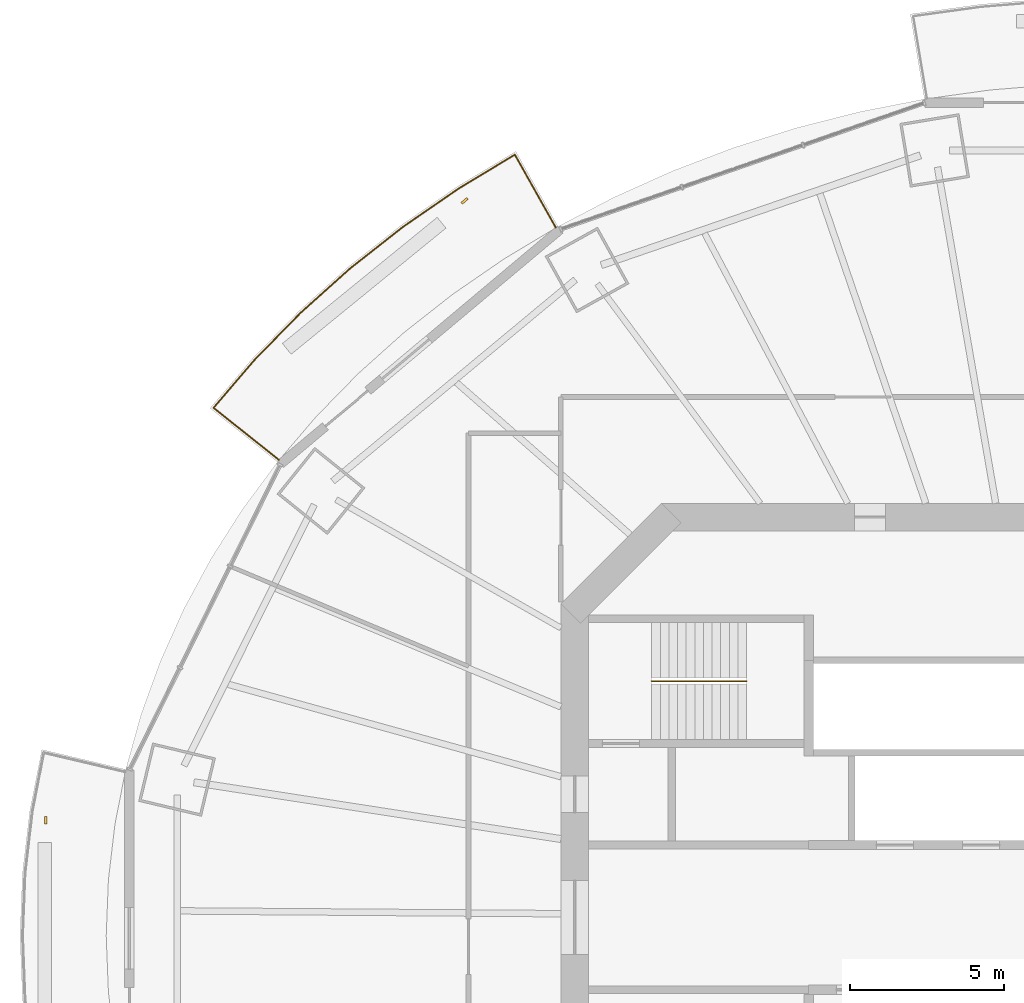
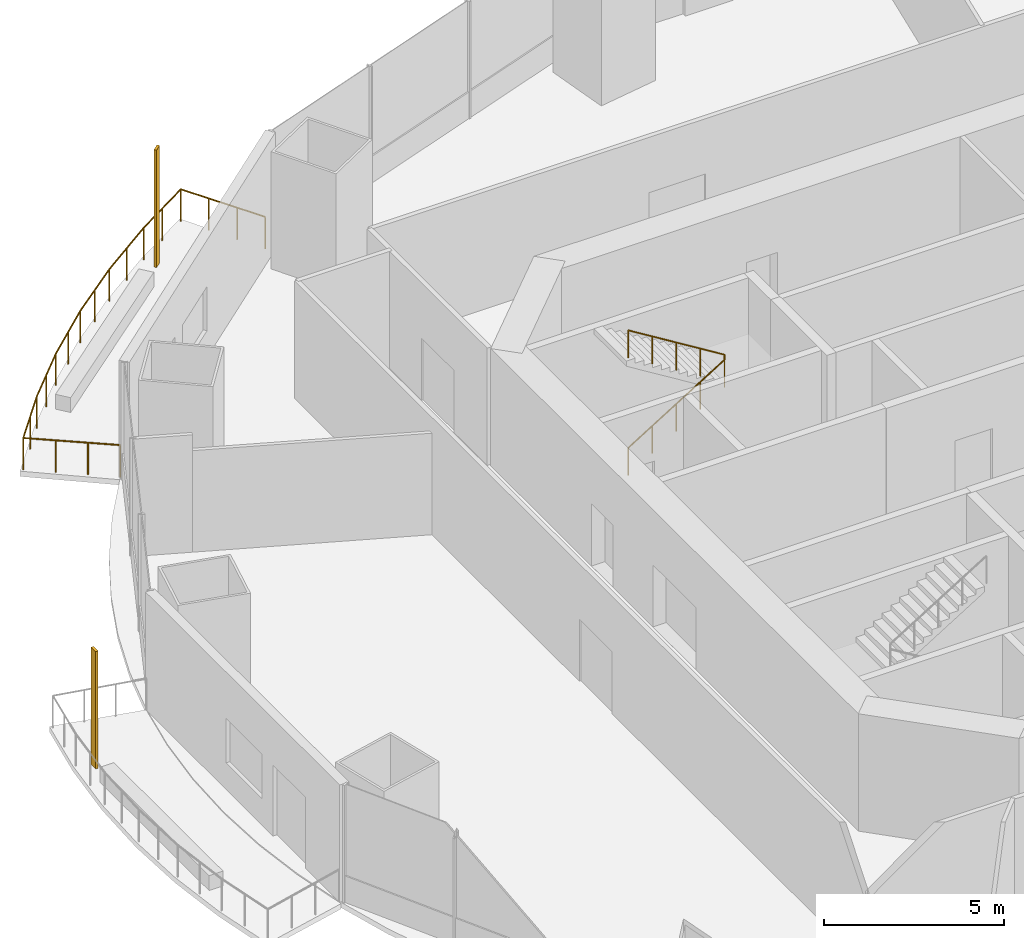
# One storey, part 18 of 21: 2 railings, 2 shading devices.
"""IFC4 building model written with IfcOpenShell, lengths in metres."""

from ifc_helpers import new_model, si_unit, direction, frame, origin, origin_2d, place, context, subcontext, project, spatial, rectangle, circle, extrude, material, material_profile, profile_set, type_object, element, save


model = new_model("IFC4")

# Units and contexts
model_context = context("Model", 3, precision=1e-05, world=origin(), true_north=direction((0.0, 1.0)))
body_context = subcontext(model_context, "Body", "Model", "MODEL_VIEW")
ifc_project = project(units=[si_unit("LENGTHUNIT", "METRE"), si_unit("AREAUNIT", "SQUARE_METRE"), si_unit("VOLUMEUNIT", "CUBIC_METRE"), si_unit("PLANEANGLEUNIT", "RADIAN"), si_unit("MASSUNIT", "GRAM", prefix="KILO")], contexts=[model_context])

# Site, building, storey
site_placement = place(None, origin())
site = spatial("IfcSite", under=ifc_project, at=site_placement, CompositionType="ELEMENT")
building_placement = place(site_placement, origin())
building = spatial("IfcBuilding", under=site, at=building_placement, Name="Marenthal Gate Tower", CompositionType="ELEMENT")
storey_placement = place(building_placement, frame((0.0, 0.0, 161.050048828125)))
storey = spatial("IfcBuildingStorey", under=building, at=storey_placement, Name="L34", CompositionType="ELEMENT", Elevation=161.050048828125)

# Railings
ifc_material_1 = material(Name="Stainless steel", Category="steel")
railing_type_1 = type_object("IfcRailingType", Name="Balcony guard 1100", PredefinedType="GUARDRAIL", material=ifc_material_1)
railing_1_placement = place(storey_placement, frame((-25.6044921875, 14.858642578125, 0.0)))
element("IfcRailing", 1, at=railing_1_placement, inside=storey, type_object=railing_type_1, Name="Balcony guard L34 bay 6", PredefinedType="GUARDRAIL", context=body_context, shape_type="SweptSolid", body=[
    extrude(circle(Radius=0.02392578125, at=origin_2d()), frame((0.0, 0.0, 1.076171875), z_axis=(-0.782541115897, 0.622424892619, -0.014719204382), x_axis=(-0.622492329303, -0.782625900388, 0.0)), (0.0, 0.0, 1.0), 2.72021484375),
    extrude(circle(Radius=0.02392578125, at=origin_2d()), frame((-2.128662109375, 1.693115234375, 1.0361328125), z_axis=(0.650279703498, 0.759694877709, 0.0), x_axis=(-0.759694877709, 0.650279703498, 0.0)), (0.0, 0.0, 1.0), 2.0439453125),
    extrude(circle(Radius=0.02392578125, at=origin_2d()), frame((-0.799560546875, 3.245849609375, 1.0361328125), z_axis=(0.699140939345, 0.714983878792, 0.0), x_axis=(-0.714983878792, 0.699140939345, 0.0)), (0.0, 0.0, 1.0), 2.14208984375),
    extrude(circle(Radius=0.02392578125, at=origin_2d()), frame((0.697998046875, 4.77734375, 1.0361328125), z_axis=(0.744641092112, 0.66746508818, 0.0), x_axis=(-0.66746508818, 0.744641092112, 0.0)), (0.0, 0.0, 1.0), 2.16064453125),
    extrude(circle(Radius=0.02392578125, at=origin_2d()), frame((2.306884765625, 6.219482421875, 1.0361328125), z_axis=(0.786162827468, 0.618019424215, 0.0), x_axis=(-0.618019424215, 0.786162827468, 0.0)), (0.0, 0.0, 1.0), 2.179443359375),
    extrude(circle(Radius=0.02392578125, at=origin_2d()), frame((4.020263671875, 7.56640625, 1.0361328125), z_axis=(0.823545660097, 0.567249985223, 0.0), x_axis=(-0.567249985223, 0.823545660097, 0.0)), (0.0, 0.0, 1.0), 2.197509765625),
    extrude(circle(Radius=0.02392578125, at=origin_2d()), frame((5.830078125, 8.81298828125, 1.0361328125), z_axis=(0.856361121068, 0.516377410741, 0.0), x_axis=(-0.516377410741, 0.856361121068, 0.0)), (0.0, 0.0, 1.0), 2.135498046875),
    extrude(circle(Radius=0.02392578125, at=origin_2d()), frame((7.658935546875, 9.915771484375, 1.0361328125), z_axis=(0.489411085686, -0.871928974406, 0.014719130397), x_axis=(0.872023442683, 0.489464110443, 0.0)), (0.0, 0.0, 1.0), 2.72021484375),
    extrude(circle(Radius=0.02099609375, at=origin_2d()), origin(), (0.0, 0.0, 1.0), 1.052001953125),
    extrude(circle(Radius=0.02099609375, at=origin_2d()), frame((-0.70947265625, 0.564453125, -0.013427734375)), (0.0, 0.0, 1.0), 1.052001953125),
    extrude(circle(Radius=0.02099609375, at=origin_2d()), frame((-1.419189453125, 1.128662109375, -0.026611328125)), (0.0, 0.0, 1.0), 1.052001953125),
    extrude(circle(Radius=0.02099609375, at=origin_2d()), frame((-2.128662109375, 1.693115234375, -0.0400390625)), (0.0, 0.0, 1.0), 1.052001953125),
    extrude(circle(Radius=0.02099609375, at=origin_2d()), frame((-1.464111328125, 2.469482421875, -0.0400390625)), (0.0, 0.0, 1.0), 1.052001953125),
    extrude(circle(Radius=0.02099609375, at=origin_2d()), frame((-0.799560546875, 3.245849609375, -0.0400390625)), (0.0, 0.0, 1.0), 1.052001953125),
    extrude(circle(Radius=0.02099609375, at=origin_2d()), frame((-0.05078125, 4.01171875, -0.0400390625)), (0.0, 0.0, 1.0), 1.052001953125),
    extrude(circle(Radius=0.02099609375, at=origin_2d()), frame((0.697998046875, 4.77734375, -0.0400390625)), (0.0, 0.0, 1.0), 1.052001953125),
    extrude(circle(Radius=0.02099609375, at=origin_2d()), frame((1.50244140625, 5.49853515625, -0.0400390625)), (0.0, 0.0, 1.0), 1.052001953125),
    extrude(circle(Radius=0.02099609375, at=origin_2d()), frame((2.306884765625, 6.219482421875, -0.0400390625)), (0.0, 0.0, 1.0), 1.052001953125),
    extrude(circle(Radius=0.02099609375, at=origin_2d()), frame((3.16357421875, 6.89306640625, -0.0400390625)), (0.0, 0.0, 1.0), 1.052001953125),
    extrude(circle(Radius=0.02099609375, at=origin_2d()), frame((4.020263671875, 7.56640625, -0.0400390625)), (0.0, 0.0, 1.0), 1.052001953125),
    extrude(circle(Radius=0.02099609375, at=origin_2d()), frame((4.92529296875, 8.189697265625, -0.0400390625)), (0.0, 0.0, 1.0), 1.052001953125),
    extrude(circle(Radius=0.02099609375, at=origin_2d()), frame((5.830078125, 8.81298828125, -0.0400390625)), (0.0, 0.0, 1.0), 1.052001953125),
    extrude(circle(Radius=0.02099609375, at=origin_2d()), frame((6.74462890625, 9.3642578125, -0.0400390625)), (0.0, 0.0, 1.0), 1.052001953125),
    extrude(circle(Radius=0.02099609375, at=origin_2d()), frame((7.658935546875, 9.915771484375, -0.0400390625)), (0.0, 0.0, 1.0), 1.052001953125),
    extrude(circle(Radius=0.02099609375, at=origin_2d()), frame((8.102783203125, 9.125244140625, -0.026611328125)), (0.0, 0.0, 1.0), 1.052001953125),
    extrude(circle(Radius=0.02099609375, at=origin_2d()), frame((8.54638671875, 8.33447265625, -0.013427734375)), (0.0, 0.0, 1.0), 1.052001953125),
    extrude(circle(Radius=0.02099609375, at=origin_2d()), frame((8.990234375, 7.5439453125, 0.0)), (0.0, 0.0, 1.0), 1.052001953125),
])
ifc_material_2 = material(Name="Stainless steel", Category="steel")
railing_type_2 = type_object("IfcRailingType", Name="Stair handrail", PredefinedType="HANDRAIL", material=ifc_material_2)
railing_2_placement = place(storey_placement, frame((-13.5, 7.675048828125, 0.1728515625)))
element("IfcRailing", 2, at=railing_2_placement, inside=storey, type_object=railing_type_2, Name="Handrail ST1", PredefinedType="HANDRAIL", context=body_context, shape_type="SweptSolid", body=[
    extrude(circle(Radius=0.0224609375, at=origin_2d()), frame((0.0, 0.0, 0.927490234375), z_axis=(0.850835241893, 0.0, 0.525432575268), x_axis=(0.0, 1.0, 0.0)), (0.0, 0.0, 1.0), 3.6201171875),
    extrude(circle(Radius=0.0224609375, at=origin_2d()), frame((3.080078125, 0.0, 2.82958984375), z_axis=(0.0, 0.0, 1.0), x_axis=(1.0, 0.0, 0.0)), (0.0, 0.0, 1.0), 0.1728515625),
    extrude(circle(Radius=0.0224609375, at=origin_2d()), frame((3.080078125, 0.0, 3.00244140625), z_axis=(-0.850835241893, 0.0, 0.525432575268), x_axis=(0.0, -1.0, 0.0)), (0.0, 0.0, 1.0), 3.6201171875),
    extrude(circle(Radius=0.02001953125, at=origin_2d()), origin(), (0.0, 0.0, 1.0), 0.905029296875),
    extrude(circle(Radius=0.02001953125, at=origin_2d()), frame((0.77001953125, 0.0, 0.4755859375)), (0.0, 0.0, 1.0), 0.905029296875),
    extrude(circle(Radius=0.02001953125, at=origin_2d()), frame((1.5400390625, 0.0, 0.951171875)), (0.0, 0.0, 1.0), 0.905029296875),
    extrude(circle(Radius=0.02001953125, at=origin_2d()), frame((2.31005859375, 0.0, 1.426513671875)), (0.0, 0.0, 1.0), 0.905029296875),
    extrude(circle(Radius=0.02001953125, at=origin_2d()), frame((3.080078125, 0.0, 1.902099609375)), (0.0, 0.0, 1.0), 0.905029296875),
    extrude(circle(Radius=0.02001953125, at=origin_2d()), frame((3.080078125, 0.0, 2.074951171875)), (0.0, 0.0, 1.0), 0.905029296875),
    extrude(circle(Radius=0.02001953125, at=origin_2d()), frame((2.31005859375, 0.0, 2.550537109375)), (0.0, 0.0, 1.0), 0.905029296875),
    extrude(circle(Radius=0.02001953125, at=origin_2d()), frame((1.5400390625, 0.0, 3.02587890625)), (0.0, 0.0, 1.0), 0.905029296875),
    extrude(circle(Radius=0.02001953125, at=origin_2d()), frame((0.77001953125, 0.0, 3.50146484375)), (0.0, 0.0, 1.0), 0.905029296875),
    extrude(circle(Radius=0.02001953125, at=origin_2d()), frame((0.0, 0.0, 3.97705078125)), (0.0, 0.0, 1.0), 0.905029296875),
])

# Shading devices
ifc_material_3 = material(Name="Terracotta", Category="masonry")
ifc_material_profile = material_profile(ifc_material_3, rectangle(XDim=0.25, YDim=0.080078125, at=origin_2d()), Name="Terracotta baguette 250x80")
ifc_profile_set = profile_set([ifc_material_profile], Name="Terracotta")
shading_device_type = type_object("IfcShadingDeviceType", Name="Terracotta BAGUETTE SCREEN 250x80", PredefinedType="USERDEFINED", material=ifc_profile_set)
for number, where, z_axis, x_axis, name in (
    (3, (-19.5791015625, 23.2734375, -0.0400390625), (0.0, 0.0, 1.0), (-0.765921119211, -0.642934552771, 0.0), "Terracotta BAGUETTE L34 bay 6L"),
    (4, (-33.18701171875, 3.152099609375, -0.0400390625), (0.0, 0.0, 1.0), (0.0, -1.0, 0.0), "Terracotta BAGUETTE L34 bay 8L"),
):
    element("IfcShadingDevice", number, at=place(storey_placement, frame(where, z_axis=z_axis, x_axis=x_axis)), inside=storey, type_object=shading_device_type, Name=name, ObjectType="BAGUETTE SCREEN", PredefinedType="USERDEFINED", context=body_context, shape_type="SweptSolid", body=[
        extrude(rectangle(XDim=0.25, YDim=0.080078125, at=origin_2d()), origin(), (0.0, 0.0, 1.0), 3.969970703125),
    ])

save(model, "model.ifc")
